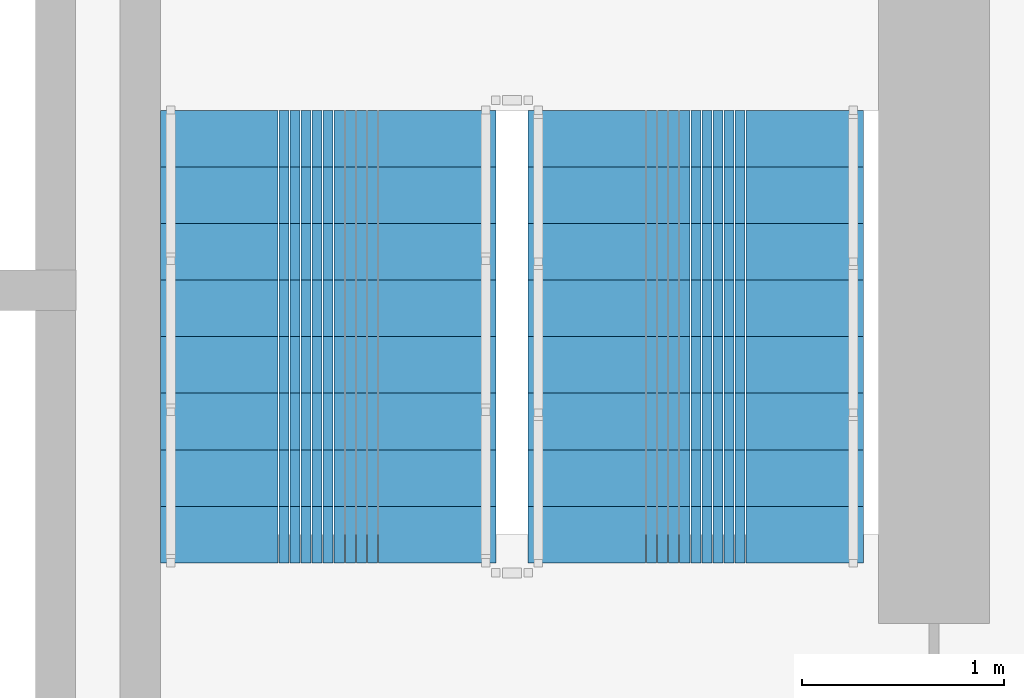
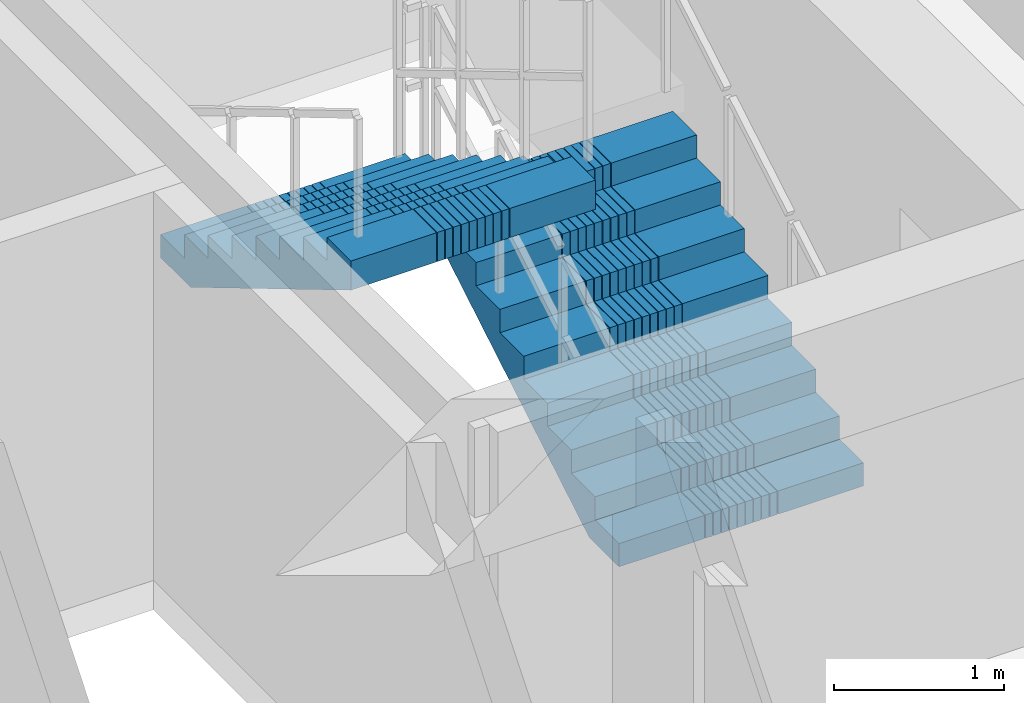
# One storey, part 21 of 25: 2 stair flights, 1 element without a shape of its own.
"""IFC4 building model written with IfcOpenShell, lengths in metres."""

from ifc_helpers import new_model, si_unit, direction, frame, origin, place, context, subcontext, project, spatial, polyline, outline, extrude, material, type_object, element, aggregate, save


model = new_model("IFC4")

# Units and contexts
model_context = context("Model", 3, precision=1e-05, world=origin(), true_north=direction((0.0, 1.0)))
body_context = subcontext(model_context, "Body", "Model", "MODEL_VIEW")
ifc_project = project(units=[si_unit("LENGTHUNIT", "METRE"), si_unit("AREAUNIT", "SQUARE_METRE"), si_unit("VOLUMEUNIT", "CUBIC_METRE"), si_unit("PLANEANGLEUNIT", "RADIAN"), si_unit("MASSUNIT", "GRAM", prefix="KILO")], contexts=[model_context])

# Site, building, storey
site_placement = place(None, origin())
site = spatial("IfcSite", under=ifc_project, at=site_placement, CompositionType="ELEMENT")
building_placement = place(site_placement, origin())
building = spatial("IfcBuilding", under=site, at=building_placement, Name="Saelheon Loggia Tower", CompositionType="ELEMENT")
storey_placement = place(building_placement, frame((0.0, 0.0, 80.85009765625)))
storey = spatial("IfcBuildingStorey", under=building, at=storey_placement, Name="L25", CompositionType="ELEMENT", Elevation=80.85009765625)

# Stair, stair flights
ifc_material = material(Name="Concrete C40/50", Category="concrete")
stair_type = type_object("IfcStairType", Name="Stair_Escape_Core", PredefinedType="HALF_TURN_STAIR", material=ifc_material)
stair_placement = place(storey_placement, origin())
stair = element("IfcStair", 1, at=stair_placement, inside=storey, type_object=stair_type, Name="L25 Special Escape Stair ST2", PredefinedType="HALF_TURN_STAIR")
stair_flight_type = type_object("IfcStairFlightType", Name="StairFlight_Tower_1660", PredefinedType="STRAIGHT", material=ifc_material)
stair_flight_1_placement = place(storey_placement, frame((43.320068359375, 30.449951171875, 0.0), z_axis=(0.0, 0.0, 1.0), x_axis=(0.0, 1.0, 0.0)))
stair_flight_1 = element("IfcStairFlight", 2, at=stair_flight_1_placement, type_object=stair_flight_type, Name="ST2 flight 1", NumberOfRisers=9, NumberOfTreads=8, PredefinedType="STRAIGHT", RiserHeight=0.166666667, TreadLength=0.28, context=body_context, shape_type="SweptSolid", body=[
    extrude(outline(polyline([(0.0, 0.0), (0.0, 0.166748046875), (0.280029296875, 0.166748046875), (0.280029296875, 0.333251953125), (0.56005859375, 0.333251953125), (0.56005859375, 0.5), (0.840087890625, 0.5), (0.840087890625, 0.666748046875), (1.1201171875, 0.666748046875), (1.1201171875, 0.833251953125), (1.39990234375, 0.833251953125), (1.39990234375, 1.0), (1.679931640625, 1.0), (1.679931640625, 1.166748046875), (1.9599609375, 1.166748046875), (1.9599609375, 1.333251953125), (2.239990234375, 1.333251953125), (2.239990234375, 1.5), (2.239990234375, 1.1240234375), (0.351806640625, 0.0), (0.0, 0.0)])), frame((0.0, -0.2490234375, 0.0), z_axis=(0.0, -1.0, 0.0), x_axis=(1.0, 0.0, 0.0)), (0.0, 0.0, 1.0), 0.5810546875),
    extrude(outline(polyline([(0.0, 0.0), (0.0, 0.166748046875), (0.280029296875, 0.166748046875), (0.280029296875, 0.333251953125), (0.56005859375, 0.333251953125), (0.56005859375, 0.5), (0.840087890625, 0.5), (0.840087890625, 0.666748046875), (1.1201171875, 0.666748046875), (1.1201171875, 0.833251953125), (1.39990234375, 0.833251953125), (1.39990234375, 1.0), (1.679931640625, 1.0), (1.679931640625, 1.166748046875), (1.9599609375, 1.166748046875), (1.9599609375, 1.333251953125), (2.239990234375, 1.333251953125), (2.239990234375, 1.5), (2.239990234375, 1.1240234375), (0.351806640625, 0.0), (0.0, 0.0)])), frame((0.0, -0.194091796875, 0.0), z_axis=(0.0, -1.0, 0.0), x_axis=(1.0, 0.0, 0.0)), (0.0, 0.0, 1.0), 0.0498046875),
    extrude(outline(polyline([(0.0, 0.0), (0.0, 0.166748046875), (0.280029296875, 0.166748046875), (0.280029296875, 0.333251953125), (0.56005859375, 0.333251953125), (0.56005859375, 0.5), (0.840087890625, 0.5), (0.840087890625, 0.666748046875), (1.1201171875, 0.666748046875), (1.1201171875, 0.833251953125), (1.39990234375, 0.833251953125), (1.39990234375, 1.0), (1.679931640625, 1.0), (1.679931640625, 1.166748046875), (1.9599609375, 1.166748046875), (1.9599609375, 1.333251953125), (2.239990234375, 1.333251953125), (2.239990234375, 1.5), (2.239990234375, 1.1240234375), (0.351806640625, 0.0), (0.0, 0.0)])), frame((0.0, -0.139404296875, 0.0), z_axis=(0.0, -1.0, 0.0), x_axis=(1.0, 0.0, 0.0)), (0.0, 0.0, 1.0), 0.0498046875),
    extrude(outline(polyline([(0.0, 0.0), (0.0, 0.166748046875), (0.280029296875, 0.166748046875), (0.280029296875, 0.333251953125), (0.56005859375, 0.333251953125), (0.56005859375, 0.5), (0.840087890625, 0.5), (0.840087890625, 0.666748046875), (1.1201171875, 0.666748046875), (1.1201171875, 0.833251953125), (1.39990234375, 0.833251953125), (1.39990234375, 1.0), (1.679931640625, 1.0), (1.679931640625, 1.166748046875), (1.9599609375, 1.166748046875), (1.9599609375, 1.333251953125), (2.239990234375, 1.333251953125), (2.239990234375, 1.5), (2.239990234375, 1.1240234375), (0.351806640625, 0.0), (0.0, 0.0)])), frame((0.0, -0.084716796875, 0.0), z_axis=(0.0, -1.0, 0.0), x_axis=(1.0, 0.0, 0.0)), (0.0, 0.0, 1.0), 0.0498046875),
    extrude(outline(polyline([(0.0, 0.0), (0.0, 0.166748046875), (0.280029296875, 0.166748046875), (0.280029296875, 0.333251953125), (0.56005859375, 0.333251953125), (0.56005859375, 0.5), (0.840087890625, 0.5), (0.840087890625, 0.666748046875), (1.1201171875, 0.666748046875), (1.1201171875, 0.833251953125), (1.39990234375, 0.833251953125), (1.39990234375, 1.0), (1.679931640625, 1.0), (1.679931640625, 1.166748046875), (1.9599609375, 1.166748046875), (1.9599609375, 1.333251953125), (2.239990234375, 1.333251953125), (2.239990234375, 1.5), (2.239990234375, 1.1240234375), (0.351806640625, 0.0), (0.0, 0.0)])), frame((0.0, -0.02978515625, 0.0), z_axis=(0.0, -1.0, 0.0), x_axis=(1.0, 0.0, 0.0)), (0.0, 0.0, 1.0), 0.0498046875),
    extrude(outline(polyline([(0.0, 0.0), (0.0, 0.166748046875), (0.280029296875, 0.166748046875), (0.280029296875, 0.333251953125), (0.56005859375, 0.333251953125), (0.56005859375, 0.5), (0.840087890625, 0.5), (0.840087890625, 0.666748046875), (1.1201171875, 0.666748046875), (1.1201171875, 0.833251953125), (1.39990234375, 0.833251953125), (1.39990234375, 1.0), (1.679931640625, 1.0), (1.679931640625, 1.166748046875), (1.9599609375, 1.166748046875), (1.9599609375, 1.333251953125), (2.239990234375, 1.333251953125), (2.239990234375, 1.5), (2.239990234375, 1.1240234375), (0.351806640625, 0.0), (0.0, 0.0)])), frame((0.0, 0.02490234375, 0.0), z_axis=(0.0, -1.0, 0.0), x_axis=(1.0, 0.0, 0.0)), (0.0, 0.0, 1.0), 0.0498046875),
    extrude(outline(polyline([(0.0, 0.0), (0.0, 0.166748046875), (0.280029296875, 0.166748046875), (0.280029296875, 0.333251953125), (0.56005859375, 0.333251953125), (0.56005859375, 0.5), (0.840087890625, 0.5), (0.840087890625, 0.666748046875), (1.1201171875, 0.666748046875), (1.1201171875, 0.833251953125), (1.39990234375, 0.833251953125), (1.39990234375, 1.0), (1.679931640625, 1.0), (1.679931640625, 1.166748046875), (1.9599609375, 1.166748046875), (1.9599609375, 1.333251953125), (2.239990234375, 1.333251953125), (2.239990234375, 1.5), (2.239990234375, 1.1240234375), (0.351806640625, 0.0), (0.0, 0.0)])), frame((0.0, 0.07958984375, 0.0), z_axis=(0.0, -1.0, 0.0), x_axis=(1.0, 0.0, 0.0)), (0.0, 0.0, 1.0), 0.0498046875),
    extrude(outline(polyline([(0.0, 0.0), (0.0, 0.166748046875), (0.280029296875, 0.166748046875), (0.280029296875, 0.333251953125), (0.56005859375, 0.333251953125), (0.56005859375, 0.5), (0.840087890625, 0.5), (0.840087890625, 0.666748046875), (1.1201171875, 0.666748046875), (1.1201171875, 0.833251953125), (1.39990234375, 0.833251953125), (1.39990234375, 1.0), (1.679931640625, 1.0), (1.679931640625, 1.166748046875), (1.9599609375, 1.166748046875), (1.9599609375, 1.333251953125), (2.239990234375, 1.333251953125), (2.239990234375, 1.5), (2.239990234375, 1.1240234375), (0.351806640625, 0.0), (0.0, 0.0)])), frame((0.0, 0.134521484375, 0.0), z_axis=(0.0, -1.0, 0.0), x_axis=(1.0, 0.0, 0.0)), (0.0, 0.0, 1.0), 0.0498046875),
    extrude(outline(polyline([(0.0, 0.0), (0.0, 0.166748046875), (0.280029296875, 0.166748046875), (0.280029296875, 0.333251953125), (0.56005859375, 0.333251953125), (0.56005859375, 0.5), (0.840087890625, 0.5), (0.840087890625, 0.666748046875), (1.1201171875, 0.666748046875), (1.1201171875, 0.833251953125), (1.39990234375, 0.833251953125), (1.39990234375, 1.0), (1.679931640625, 1.0), (1.679931640625, 1.166748046875), (1.9599609375, 1.166748046875), (1.9599609375, 1.333251953125), (2.239990234375, 1.333251953125), (2.239990234375, 1.5), (2.239990234375, 1.1240234375), (0.351806640625, 0.0), (0.0, 0.0)])), frame((0.0, 0.189208984375, 0.0), z_axis=(0.0, -1.0, 0.0), x_axis=(1.0, 0.0, 0.0)), (0.0, 0.0, 1.0), 0.0498046875),
    extrude(outline(polyline([(0.0, 0.0), (0.0, 0.166748046875), (0.280029296875, 0.166748046875), (0.280029296875, 0.333251953125), (0.56005859375, 0.333251953125), (0.56005859375, 0.5), (0.840087890625, 0.5), (0.840087890625, 0.666748046875), (1.1201171875, 0.666748046875), (1.1201171875, 0.833251953125), (1.39990234375, 0.833251953125), (1.39990234375, 1.0), (1.679931640625, 1.0), (1.679931640625, 1.166748046875), (1.9599609375, 1.166748046875), (1.9599609375, 1.333251953125), (2.239990234375, 1.333251953125), (2.239990234375, 1.5), (2.239990234375, 1.1240234375), (0.351806640625, 0.0), (0.0, 0.0)])), frame((0.0, 0.243896484375, 0.0), z_axis=(0.0, -1.0, 0.0), x_axis=(1.0, 0.0, 0.0)), (0.0, 0.0, 1.0), 0.0498046875),
    extrude(outline(polyline([(0.0, 0.0), (0.0, 0.166748046875), (0.280029296875, 0.166748046875), (0.280029296875, 0.333251953125), (0.56005859375, 0.333251953125), (0.56005859375, 0.5), (0.840087890625, 0.5), (0.840087890625, 0.666748046875), (1.1201171875, 0.666748046875), (1.1201171875, 0.833251953125), (1.39990234375, 0.833251953125), (1.39990234375, 1.0), (1.679931640625, 1.0), (1.679931640625, 1.166748046875), (1.9599609375, 1.166748046875), (1.9599609375, 1.333251953125), (2.239990234375, 1.333251953125), (2.239990234375, 1.5), (2.239990234375, 1.1240234375), (0.351806640625, 0.0), (0.0, 0.0)])), frame((0.0, 0.830078125, 0.0), z_axis=(0.0, -1.0, 0.0), x_axis=(1.0, 0.0, 0.0)), (0.0, 0.0, 1.0), 0.5810546875),
])
stair_flight_2_placement = place(storey_placement, frame((41.5, 32.68994140625, 1.5), z_axis=(0.0, 0.0, 1.0), x_axis=(0.0, -1.0, 0.0)))
stair_flight_2 = element("IfcStairFlight", 3, at=stair_flight_2_placement, type_object=stair_flight_type, Name="ST2 flight 2", NumberOfRisers=9, NumberOfTreads=8, PredefinedType="STRAIGHT", RiserHeight=0.166666667, TreadLength=0.28, context=body_context, shape_type="SweptSolid", body=[
    extrude(outline(polyline([(0.0, 0.0), (0.0, 0.166748046875), (0.280029296875, 0.166748046875), (0.280029296875, 0.333251953125), (0.56005859375, 0.333251953125), (0.56005859375, 0.5), (0.840087890625, 0.5), (0.840087890625, 0.666748046875), (1.1201171875, 0.666748046875), (1.1201171875, 0.833251953125), (1.39990234375, 0.833251953125), (1.39990234375, 1.0), (1.679931640625, 1.0), (1.679931640625, 1.166748046875), (1.9599609375, 1.166748046875), (1.9599609375, 1.333251953125), (2.239990234375, 1.333251953125), (2.239990234375, 1.5), (2.239990234375, 1.1240234375), (0.351806640625, 0.0), (0.0, 0.0)])), frame((0.0, -0.2490234375, 0.0), z_axis=(0.0, -1.0, 0.0), x_axis=(1.0, 0.0, 0.0)), (0.0, 0.0, 1.0), 0.5810546875),
    extrude(outline(polyline([(0.0, 0.0), (0.0, 0.166748046875), (0.280029296875, 0.166748046875), (0.280029296875, 0.333251953125), (0.56005859375, 0.333251953125), (0.56005859375, 0.5), (0.840087890625, 0.5), (0.840087890625, 0.666748046875), (1.1201171875, 0.666748046875), (1.1201171875, 0.833251953125), (1.39990234375, 0.833251953125), (1.39990234375, 1.0), (1.679931640625, 1.0), (1.679931640625, 1.166748046875), (1.9599609375, 1.166748046875), (1.9599609375, 1.333251953125), (2.239990234375, 1.333251953125), (2.239990234375, 1.5), (2.239990234375, 1.1240234375), (0.351806640625, 0.0), (0.0, 0.0)])), frame((0.0, -0.194091796875, 0.0), z_axis=(0.0, -1.0, 0.0), x_axis=(1.0, 0.0, 0.0)), (0.0, 0.0, 1.0), 0.0498046875),
    extrude(outline(polyline([(0.0, 0.0), (0.0, 0.166748046875), (0.280029296875, 0.166748046875), (0.280029296875, 0.333251953125), (0.56005859375, 0.333251953125), (0.56005859375, 0.5), (0.840087890625, 0.5), (0.840087890625, 0.666748046875), (1.1201171875, 0.666748046875), (1.1201171875, 0.833251953125), (1.39990234375, 0.833251953125), (1.39990234375, 1.0), (1.679931640625, 1.0), (1.679931640625, 1.166748046875), (1.9599609375, 1.166748046875), (1.9599609375, 1.333251953125), (2.239990234375, 1.333251953125), (2.239990234375, 1.5), (2.239990234375, 1.1240234375), (0.351806640625, 0.0), (0.0, 0.0)])), frame((0.0, -0.139404296875, 0.0), z_axis=(0.0, -1.0, 0.0), x_axis=(1.0, 0.0, 0.0)), (0.0, 0.0, 1.0), 0.0498046875),
    extrude(outline(polyline([(0.0, 0.0), (0.0, 0.166748046875), (0.280029296875, 0.166748046875), (0.280029296875, 0.333251953125), (0.56005859375, 0.333251953125), (0.56005859375, 0.5), (0.840087890625, 0.5), (0.840087890625, 0.666748046875), (1.1201171875, 0.666748046875), (1.1201171875, 0.833251953125), (1.39990234375, 0.833251953125), (1.39990234375, 1.0), (1.679931640625, 1.0), (1.679931640625, 1.166748046875), (1.9599609375, 1.166748046875), (1.9599609375, 1.333251953125), (2.239990234375, 1.333251953125), (2.239990234375, 1.5), (2.239990234375, 1.1240234375), (0.351806640625, 0.0), (0.0, 0.0)])), frame((0.0, -0.084716796875, 0.0), z_axis=(0.0, -1.0, 0.0), x_axis=(1.0, 0.0, 0.0)), (0.0, 0.0, 1.0), 0.0498046875),
    extrude(outline(polyline([(0.0, 0.0), (0.0, 0.166748046875), (0.280029296875, 0.166748046875), (0.280029296875, 0.333251953125), (0.56005859375, 0.333251953125), (0.56005859375, 0.5), (0.840087890625, 0.5), (0.840087890625, 0.666748046875), (1.1201171875, 0.666748046875), (1.1201171875, 0.833251953125), (1.39990234375, 0.833251953125), (1.39990234375, 1.0), (1.679931640625, 1.0), (1.679931640625, 1.166748046875), (1.9599609375, 1.166748046875), (1.9599609375, 1.333251953125), (2.239990234375, 1.333251953125), (2.239990234375, 1.5), (2.239990234375, 1.1240234375), (0.351806640625, 0.0), (0.0, 0.0)])), frame((0.0, -0.02978515625, 0.0), z_axis=(0.0, -1.0, 0.0), x_axis=(1.0, 0.0, 0.0)), (0.0, 0.0, 1.0), 0.0498046875),
    extrude(outline(polyline([(0.0, 0.0), (0.0, 0.166748046875), (0.280029296875, 0.166748046875), (0.280029296875, 0.333251953125), (0.56005859375, 0.333251953125), (0.56005859375, 0.5), (0.840087890625, 0.5), (0.840087890625, 0.666748046875), (1.1201171875, 0.666748046875), (1.1201171875, 0.833251953125), (1.39990234375, 0.833251953125), (1.39990234375, 1.0), (1.679931640625, 1.0), (1.679931640625, 1.166748046875), (1.9599609375, 1.166748046875), (1.9599609375, 1.333251953125), (2.239990234375, 1.333251953125), (2.239990234375, 1.5), (2.239990234375, 1.1240234375), (0.351806640625, 0.0), (0.0, 0.0)])), frame((0.0, 0.02490234375, 0.0), z_axis=(0.0, -1.0, 0.0), x_axis=(1.0, 0.0, 0.0)), (0.0, 0.0, 1.0), 0.0498046875),
    extrude(outline(polyline([(0.0, 0.0), (0.0, 0.166748046875), (0.280029296875, 0.166748046875), (0.280029296875, 0.333251953125), (0.56005859375, 0.333251953125), (0.56005859375, 0.5), (0.840087890625, 0.5), (0.840087890625, 0.666748046875), (1.1201171875, 0.666748046875), (1.1201171875, 0.833251953125), (1.39990234375, 0.833251953125), (1.39990234375, 1.0), (1.679931640625, 1.0), (1.679931640625, 1.166748046875), (1.9599609375, 1.166748046875), (1.9599609375, 1.333251953125), (2.239990234375, 1.333251953125), (2.239990234375, 1.5), (2.239990234375, 1.1240234375), (0.351806640625, 0.0), (0.0, 0.0)])), frame((0.0, 0.07958984375, 0.0), z_axis=(0.0, -1.0, 0.0), x_axis=(1.0, 0.0, 0.0)), (0.0, 0.0, 1.0), 0.0498046875),
    extrude(outline(polyline([(0.0, 0.0), (0.0, 0.166748046875), (0.280029296875, 0.166748046875), (0.280029296875, 0.333251953125), (0.56005859375, 0.333251953125), (0.56005859375, 0.5), (0.840087890625, 0.5), (0.840087890625, 0.666748046875), (1.1201171875, 0.666748046875), (1.1201171875, 0.833251953125), (1.39990234375, 0.833251953125), (1.39990234375, 1.0), (1.679931640625, 1.0), (1.679931640625, 1.166748046875), (1.9599609375, 1.166748046875), (1.9599609375, 1.333251953125), (2.239990234375, 1.333251953125), (2.239990234375, 1.5), (2.239990234375, 1.1240234375), (0.351806640625, 0.0), (0.0, 0.0)])), frame((0.0, 0.134521484375, 0.0), z_axis=(0.0, -1.0, 0.0), x_axis=(1.0, 0.0, 0.0)), (0.0, 0.0, 1.0), 0.0498046875),
    extrude(outline(polyline([(0.0, 0.0), (0.0, 0.166748046875), (0.280029296875, 0.166748046875), (0.280029296875, 0.333251953125), (0.56005859375, 0.333251953125), (0.56005859375, 0.5), (0.840087890625, 0.5), (0.840087890625, 0.666748046875), (1.1201171875, 0.666748046875), (1.1201171875, 0.833251953125), (1.39990234375, 0.833251953125), (1.39990234375, 1.0), (1.679931640625, 1.0), (1.679931640625, 1.166748046875), (1.9599609375, 1.166748046875), (1.9599609375, 1.333251953125), (2.239990234375, 1.333251953125), (2.239990234375, 1.5), (2.239990234375, 1.1240234375), (0.351806640625, 0.0), (0.0, 0.0)])), frame((0.0, 0.189208984375, 0.0), z_axis=(0.0, -1.0, 0.0), x_axis=(1.0, 0.0, 0.0)), (0.0, 0.0, 1.0), 0.0498046875),
    extrude(outline(polyline([(0.0, 0.0), (0.0, 0.166748046875), (0.280029296875, 0.166748046875), (0.280029296875, 0.333251953125), (0.56005859375, 0.333251953125), (0.56005859375, 0.5), (0.840087890625, 0.5), (0.840087890625, 0.666748046875), (1.1201171875, 0.666748046875), (1.1201171875, 0.833251953125), (1.39990234375, 0.833251953125), (1.39990234375, 1.0), (1.679931640625, 1.0), (1.679931640625, 1.166748046875), (1.9599609375, 1.166748046875), (1.9599609375, 1.333251953125), (2.239990234375, 1.333251953125), (2.239990234375, 1.5), (2.239990234375, 1.1240234375), (0.351806640625, 0.0), (0.0, 0.0)])), frame((0.0, 0.243896484375, 0.0), z_axis=(0.0, -1.0, 0.0), x_axis=(1.0, 0.0, 0.0)), (0.0, 0.0, 1.0), 0.0498046875),
    extrude(outline(polyline([(0.0, 0.0), (0.0, 0.166748046875), (0.280029296875, 0.166748046875), (0.280029296875, 0.333251953125), (0.56005859375, 0.333251953125), (0.56005859375, 0.5), (0.840087890625, 0.5), (0.840087890625, 0.666748046875), (1.1201171875, 0.666748046875), (1.1201171875, 0.833251953125), (1.39990234375, 0.833251953125), (1.39990234375, 1.0), (1.679931640625, 1.0), (1.679931640625, 1.166748046875), (1.9599609375, 1.166748046875), (1.9599609375, 1.333251953125), (2.239990234375, 1.333251953125), (2.239990234375, 1.5), (2.239990234375, 1.1240234375), (0.351806640625, 0.0), (0.0, 0.0)])), frame((0.0, 0.830078125, 0.0), z_axis=(0.0, -1.0, 0.0), x_axis=(1.0, 0.0, 0.0)), (0.0, 0.0, 1.0), 0.5810546875),
])
aggregate(stair, [stair_flight_1, stair_flight_2])

save(model, "model.ifc")
